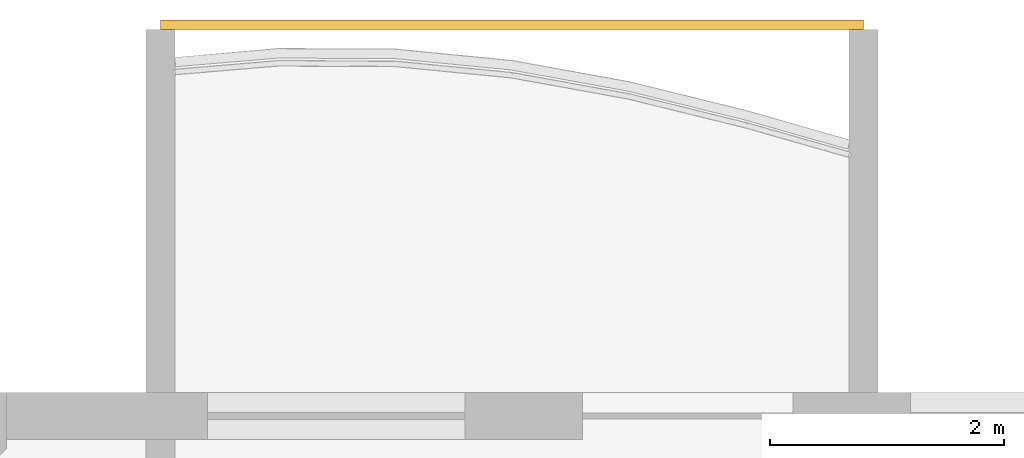
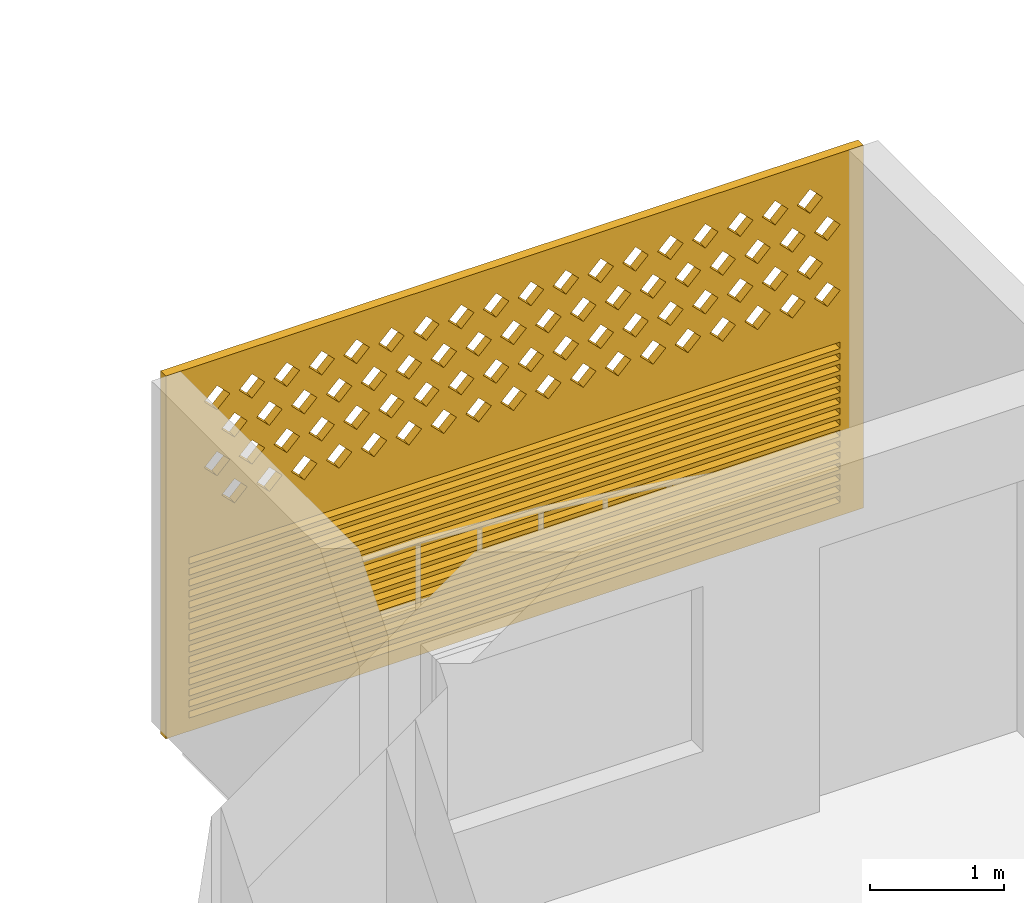
# One storey, part 16 of 26: 1 covering.
"""IFC4 building model written with IfcOpenShell, lengths in metres."""

from ifc_helpers import new_model, si_unit, direction, frame, origin, place, context, subcontext, project, spatial, polyline, outline, extrude, source, transform, mapped, material, material_profile, profile_set, type_object, element, save


model = new_model("IFC4")

# Units and contexts
model_context = context("Model", 3, precision=1e-05, world=origin(), true_north=direction((0.0, 1.0)))
body_context = subcontext(model_context, "Body", "Model", "MODEL_VIEW")
ifc_project = project(units=[si_unit("LENGTHUNIT", "METRE"), si_unit("AREAUNIT", "SQUARE_METRE"), si_unit("VOLUMEUNIT", "CUBIC_METRE"), si_unit("PLANEANGLEUNIT", "RADIAN"), si_unit("MASSUNIT", "GRAM", prefix="KILO")], contexts=[model_context])

# Site, building, storey
site_placement = place(None, origin())
site = spatial("IfcSite", under=ifc_project, at=site_placement, CompositionType="ELEMENT")
building_placement = place(site_placement, origin())
building = spatial("IfcBuilding", under=site, at=building_placement, Name="Poui Terraces", CompositionType="ELEMENT")
storey_placement = place(building_placement, frame((0.0, 0.0, 178.5)))
storey = spatial("IfcBuildingStorey", under=building, at=storey_placement, Name="L49", CompositionType="ELEMENT", Elevation=178.5)

# Covering
ifc_material = material(Name="Terracotta screen", Category="masonry")
ifc_material_profile = material_profile(ifc_material, outline(polyline([(-3.0, -1.64990234375), (3.0, -1.64990234375), (3.0, 1.64990234375), (-3.0, 1.64990234375), (-3.0, -1.64990234375)]), holes=[polyline([(-2.800048828125, 0.39990234375), (-2.68994140625, 0.2900390625), (-2.580078125, 0.39990234375), (-2.68994140625, 0.510009765625), (-2.800048828125, 0.39990234375)]), polyline([(-2.5, 0.39990234375), (-2.389892578125, 0.2900390625), (-2.280029296875, 0.39990234375), (-2.389892578125, 0.510009765625), (-2.5, 0.39990234375)]), polyline([(-2.199951171875, 0.39990234375), (-2.090087890625, 0.2900390625), (-1.97998046875, 0.39990234375), (-2.090087890625, 0.510009765625), (-2.199951171875, 0.39990234375)]), polyline([(-1.89990234375, 0.39990234375), (-1.7900390625, 0.2900390625), (-1.679931640625, 0.39990234375), (-1.7900390625, 0.510009765625), (-1.89990234375, 0.39990234375)]), polyline([(-1.60009765625, 0.39990234375), (-1.489990234375, 0.2900390625), (-1.3798828125, 0.39990234375), (-1.489990234375, 0.510009765625), (-1.60009765625, 0.39990234375)]), polyline([(-1.300048828125, 0.39990234375), (-1.18994140625, 0.2900390625), (-1.080078125, 0.39990234375), (-1.18994140625, 0.510009765625), (-1.300048828125, 0.39990234375)]), polyline([(-1.0, 0.39990234375), (-0.889892578125, 0.2900390625), (-0.780029296875, 0.39990234375), (-0.889892578125, 0.510009765625), (-1.0, 0.39990234375)]), polyline([(-0.699951171875, 0.39990234375), (-0.590087890625, 0.2900390625), (-0.47998046875, 0.39990234375), (-0.590087890625, 0.510009765625), (-0.699951171875, 0.39990234375)]), polyline([(-0.39990234375, 0.39990234375), (-0.2900390625, 0.2900390625), (-0.179931640625, 0.39990234375), (-0.2900390625, 0.510009765625), (-0.39990234375, 0.39990234375)]), polyline([(-0.10009765625, 0.39990234375), (0.010009765625, 0.2900390625), (0.1201171875, 0.39990234375), (0.010009765625, 0.510009765625), (-0.10009765625, 0.39990234375)]), polyline([(0.199951171875, 0.39990234375), (0.31005859375, 0.2900390625), (0.419921875, 0.39990234375), (0.31005859375, 0.510009765625), (0.199951171875, 0.39990234375)]), polyline([(0.5, 0.39990234375), (0.610107421875, 0.2900390625), (0.719970703125, 0.39990234375), (0.610107421875, 0.510009765625), (0.5, 0.39990234375)]), polyline([(0.800048828125, 0.39990234375), (0.909912109375, 0.2900390625), (1.02001953125, 0.39990234375), (0.909912109375, 0.510009765625), (0.800048828125, 0.39990234375)]), polyline([(1.10009765625, 0.39990234375), (1.2099609375, 0.2900390625), (1.320068359375, 0.39990234375), (1.2099609375, 0.510009765625), (1.10009765625, 0.39990234375)]), polyline([(1.39990234375, 0.39990234375), (1.510009765625, 0.2900390625), (1.6201171875, 0.39990234375), (1.510009765625, 0.510009765625), (1.39990234375, 0.39990234375)]), polyline([(1.699951171875, 0.39990234375), (1.81005859375, 0.2900390625), (1.919921875, 0.39990234375), (1.81005859375, 0.510009765625), (1.699951171875, 0.39990234375)]), polyline([(2.0, 0.39990234375), (2.110107421875, 0.2900390625), (2.219970703125, 0.39990234375), (2.110107421875, 0.510009765625), (2.0, 0.39990234375)]), polyline([(2.300048828125, 0.39990234375), (2.409912109375, 0.2900390625), (2.52001953125, 0.39990234375), (2.409912109375, 0.510009765625), (2.300048828125, 0.39990234375)]), polyline([(-2.64990234375, 0.699951171875), (-2.5400390625, 0.590087890625), (-2.429931640625, 0.699951171875), (-2.5400390625, 0.81005859375), (-2.64990234375, 0.699951171875)]), polyline([(-2.35009765625, 0.699951171875), (-2.239990234375, 0.590087890625), (-2.1298828125, 0.699951171875), (-2.239990234375, 0.81005859375), (-2.35009765625, 0.699951171875)]), polyline([(-2.050048828125, 0.699951171875), (-1.93994140625, 0.590087890625), (-1.830078125, 0.699951171875), (-1.93994140625, 0.81005859375), (-2.050048828125, 0.699951171875)]), polyline([(-1.75, 0.699951171875), (-1.639892578125, 0.590087890625), (-1.530029296875, 0.699951171875), (-1.639892578125, 0.81005859375), (-1.75, 0.699951171875)]), polyline([(-1.449951171875, 0.699951171875), (-1.340087890625, 0.590087890625), (-1.22998046875, 0.699951171875), (-1.340087890625, 0.81005859375), (-1.449951171875, 0.699951171875)]), polyline([(-1.14990234375, 0.699951171875), (-1.0400390625, 0.590087890625), (-0.929931640625, 0.699951171875), (-1.0400390625, 0.81005859375), (-1.14990234375, 0.699951171875)]), polyline([(-0.85009765625, 0.699951171875), (-0.739990234375, 0.590087890625), (-0.6298828125, 0.699951171875), (-0.739990234375, 0.81005859375), (-0.85009765625, 0.699951171875)]), polyline([(-0.550048828125, 0.699951171875), (-0.43994140625, 0.590087890625), (-0.330078125, 0.699951171875), (-0.43994140625, 0.81005859375), (-0.550048828125, 0.699951171875)]), polyline([(-0.25, 0.699951171875), (-0.139892578125, 0.590087890625), (-0.030029296875, 0.699951171875), (-0.139892578125, 0.81005859375), (-0.25, 0.699951171875)]), polyline([(0.050048828125, 0.699951171875), (0.159912109375, 0.590087890625), (0.27001953125, 0.699951171875), (0.159912109375, 0.81005859375), (0.050048828125, 0.699951171875)]), polyline([(0.35009765625, 0.699951171875), (0.4599609375, 0.590087890625), (0.570068359375, 0.699951171875), (0.4599609375, 0.81005859375), (0.35009765625, 0.699951171875)]), polyline([(0.64990234375, 0.699951171875), (0.760009765625, 0.590087890625), (0.8701171875, 0.699951171875), (0.760009765625, 0.81005859375), (0.64990234375, 0.699951171875)]), polyline([(0.949951171875, 0.699951171875), (1.06005859375, 0.590087890625), (1.169921875, 0.699951171875), (1.06005859375, 0.81005859375), (0.949951171875, 0.699951171875)]), polyline([(1.25, 0.699951171875), (1.360107421875, 0.590087890625), (1.469970703125, 0.699951171875), (1.360107421875, 0.81005859375), (1.25, 0.699951171875)]), polyline([(1.550048828125, 0.699951171875), (1.659912109375, 0.590087890625), (1.77001953125, 0.699951171875), (1.659912109375, 0.81005859375), (1.550048828125, 0.699951171875)]), polyline([(1.85009765625, 0.699951171875), (1.9599609375, 0.590087890625), (2.070068359375, 0.699951171875), (1.9599609375, 0.81005859375), (1.85009765625, 0.699951171875)]), polyline([(2.14990234375, 0.699951171875), (2.260009765625, 0.590087890625), (2.3701171875, 0.699951171875), (2.260009765625, 0.81005859375), (2.14990234375, 0.699951171875)]), polyline([(2.449951171875, 0.699951171875), (2.56005859375, 0.590087890625), (2.669921875, 0.699951171875), (2.56005859375, 0.81005859375), (2.449951171875, 0.699951171875)]), polyline([(-2.800048828125, 1.0), (-2.68994140625, 0.889892578125), (-2.580078125, 1.0), (-2.68994140625, 1.110107421875), (-2.800048828125, 1.0)]), polyline([(-2.5, 1.0), (-2.389892578125, 0.889892578125), (-2.280029296875, 1.0), (-2.389892578125, 1.110107421875), (-2.5, 1.0)]), polyline([(-2.199951171875, 1.0), (-2.090087890625, 0.889892578125), (-1.97998046875, 1.0), (-2.090087890625, 1.110107421875), (-2.199951171875, 1.0)]), polyline([(-1.89990234375, 1.0), (-1.7900390625, 0.889892578125), (-1.679931640625, 1.0), (-1.7900390625, 1.110107421875), (-1.89990234375, 1.0)]), polyline([(-1.60009765625, 1.0), (-1.489990234375, 0.889892578125), (-1.3798828125, 1.0), (-1.489990234375, 1.110107421875), (-1.60009765625, 1.0)]), polyline([(-1.300048828125, 1.0), (-1.18994140625, 0.889892578125), (-1.080078125, 1.0), (-1.18994140625, 1.110107421875), (-1.300048828125, 1.0)]), polyline([(-1.0, 1.0), (-0.889892578125, 0.889892578125), (-0.780029296875, 1.0), (-0.889892578125, 1.110107421875), (-1.0, 1.0)]), polyline([(-0.699951171875, 1.0), (-0.590087890625, 0.889892578125), (-0.47998046875, 1.0), (-0.590087890625, 1.110107421875), (-0.699951171875, 1.0)]), polyline([(-0.39990234375, 1.0), (-0.2900390625, 0.889892578125), (-0.179931640625, 1.0), (-0.2900390625, 1.110107421875), (-0.39990234375, 1.0)]), polyline([(-0.10009765625, 1.0), (0.010009765625, 0.889892578125), (0.1201171875, 1.0), (0.010009765625, 1.110107421875), (-0.10009765625, 1.0)]), polyline([(0.199951171875, 1.0), (0.31005859375, 0.889892578125), (0.419921875, 1.0), (0.31005859375, 1.110107421875), (0.199951171875, 1.0)]), polyline([(0.5, 1.0), (0.610107421875, 0.889892578125), (0.719970703125, 1.0), (0.610107421875, 1.110107421875), (0.5, 1.0)]), polyline([(0.800048828125, 1.0), (0.909912109375, 0.889892578125), (1.02001953125, 1.0), (0.909912109375, 1.110107421875), (0.800048828125, 1.0)]), polyline([(1.10009765625, 1.0), (1.2099609375, 0.889892578125), (1.320068359375, 1.0), (1.2099609375, 1.110107421875), (1.10009765625, 1.0)]), polyline([(1.39990234375, 1.0), (1.510009765625, 0.889892578125), (1.6201171875, 1.0), (1.510009765625, 1.110107421875), (1.39990234375, 1.0)]), polyline([(1.699951171875, 1.0), (1.81005859375, 0.889892578125), (1.919921875, 1.0), (1.81005859375, 1.110107421875), (1.699951171875, 1.0)]), polyline([(2.0, 1.0), (2.110107421875, 0.889892578125), (2.219970703125, 1.0), (2.110107421875, 1.110107421875), (2.0, 1.0)]), polyline([(2.300048828125, 1.0), (2.409912109375, 0.889892578125), (2.52001953125, 1.0), (2.409912109375, 1.110107421875), (2.300048828125, 1.0)]), polyline([(-2.64990234375, 1.300048828125), (-2.5400390625, 1.18994140625), (-2.429931640625, 1.300048828125), (-2.5400390625, 1.409912109375), (-2.64990234375, 1.300048828125)]), polyline([(-2.35009765625, 1.300048828125), (-2.239990234375, 1.18994140625), (-2.1298828125, 1.300048828125), (-2.239990234375, 1.409912109375), (-2.35009765625, 1.300048828125)]), polyline([(-2.050048828125, 1.300048828125), (-1.93994140625, 1.18994140625), (-1.830078125, 1.300048828125), (-1.93994140625, 1.409912109375), (-2.050048828125, 1.300048828125)]), polyline([(-1.75, 1.300048828125), (-1.639892578125, 1.18994140625), (-1.530029296875, 1.300048828125), (-1.639892578125, 1.409912109375), (-1.75, 1.300048828125)]), polyline([(-1.449951171875, 1.300048828125), (-1.340087890625, 1.18994140625), (-1.22998046875, 1.300048828125), (-1.340087890625, 1.409912109375), (-1.449951171875, 1.300048828125)]), polyline([(-1.14990234375, 1.300048828125), (-1.0400390625, 1.18994140625), (-0.929931640625, 1.300048828125), (-1.0400390625, 1.409912109375), (-1.14990234375, 1.300048828125)]), polyline([(-0.85009765625, 1.300048828125), (-0.739990234375, 1.18994140625), (-0.6298828125, 1.300048828125), (-0.739990234375, 1.409912109375), (-0.85009765625, 1.300048828125)]), polyline([(-0.550048828125, 1.300048828125), (-0.43994140625, 1.18994140625), (-0.330078125, 1.300048828125), (-0.43994140625, 1.409912109375), (-0.550048828125, 1.300048828125)]), polyline([(-0.25, 1.300048828125), (-0.139892578125, 1.18994140625), (-0.030029296875, 1.300048828125), (-0.139892578125, 1.409912109375), (-0.25, 1.300048828125)]), polyline([(0.050048828125, 1.300048828125), (0.159912109375, 1.18994140625), (0.27001953125, 1.300048828125), (0.159912109375, 1.409912109375), (0.050048828125, 1.300048828125)]), polyline([(0.35009765625, 1.300048828125), (0.4599609375, 1.18994140625), (0.570068359375, 1.300048828125), (0.4599609375, 1.409912109375), (0.35009765625, 1.300048828125)]), polyline([(0.64990234375, 1.300048828125), (0.760009765625, 1.18994140625), (0.8701171875, 1.300048828125), (0.760009765625, 1.409912109375), (0.64990234375, 1.300048828125)]), polyline([(0.949951171875, 1.300048828125), (1.06005859375, 1.18994140625), (1.169921875, 1.300048828125), (1.06005859375, 1.409912109375), (0.949951171875, 1.300048828125)]), polyline([(1.25, 1.300048828125), (1.360107421875, 1.18994140625), (1.469970703125, 1.300048828125), (1.360107421875, 1.409912109375), (1.25, 1.300048828125)]), polyline([(1.550048828125, 1.300048828125), (1.659912109375, 1.18994140625), (1.77001953125, 1.300048828125), (1.659912109375, 1.409912109375), (1.550048828125, 1.300048828125)]), polyline([(1.85009765625, 1.300048828125), (1.9599609375, 1.18994140625), (2.070068359375, 1.300048828125), (1.9599609375, 1.409912109375), (1.85009765625, 1.300048828125)]), polyline([(2.14990234375, 1.300048828125), (2.260009765625, 1.18994140625), (2.3701171875, 1.300048828125), (2.260009765625, 1.409912109375), (2.14990234375, 1.300048828125)]), polyline([(2.449951171875, 1.300048828125), (2.56005859375, 1.18994140625), (2.669921875, 1.300048828125), (2.56005859375, 1.409912109375), (2.449951171875, 1.300048828125)]), polyline([(-2.800048828125, -1.530029296875), (2.800048828125, -1.530029296875), (2.800048828125, -1.469970703125), (-2.800048828125, -1.469970703125), (-2.800048828125, -1.530029296875)]), polyline([(-2.800048828125, -1.429931640625), (2.800048828125, -1.429931640625), (2.800048828125, -1.3701171875), (-2.800048828125, -1.3701171875), (-2.800048828125, -1.429931640625)]), polyline([(-2.800048828125, -1.330078125), (2.800048828125, -1.330078125), (2.800048828125, -1.27001953125), (-2.800048828125, -1.27001953125), (-2.800048828125, -1.330078125)]), polyline([(-2.800048828125, -1.22998046875), (2.800048828125, -1.22998046875), (2.800048828125, -1.169921875), (-2.800048828125, -1.169921875), (-2.800048828125, -1.22998046875)]), polyline([(-2.800048828125, -1.1298828125), (2.800048828125, -1.1298828125), (2.800048828125, -1.070068359375), (-2.800048828125, -1.070068359375), (-2.800048828125, -1.1298828125)]), polyline([(-2.800048828125, -1.030029296875), (2.800048828125, -1.030029296875), (2.800048828125, -0.969970703125), (-2.800048828125, -0.969970703125), (-2.800048828125, -1.030029296875)]), polyline([(-2.800048828125, -0.929931640625), (2.800048828125, -0.929931640625), (2.800048828125, -0.8701171875), (-2.800048828125, -0.8701171875), (-2.800048828125, -0.929931640625)]), polyline([(-2.800048828125, -0.830078125), (2.800048828125, -0.830078125), (2.800048828125, -0.77001953125), (-2.800048828125, -0.77001953125), (-2.800048828125, -0.830078125)]), polyline([(-2.800048828125, -0.72998046875), (2.800048828125, -0.72998046875), (2.800048828125, -0.669921875), (-2.800048828125, -0.669921875), (-2.800048828125, -0.72998046875)]), polyline([(-2.800048828125, -0.6298828125), (2.800048828125, -0.6298828125), (2.800048828125, -0.570068359375), (-2.800048828125, -0.570068359375), (-2.800048828125, -0.6298828125)]), polyline([(-2.800048828125, -0.530029296875), (2.800048828125, -0.530029296875), (2.800048828125, -0.469970703125), (-2.800048828125, -0.469970703125), (-2.800048828125, -0.530029296875)]), polyline([(-2.800048828125, -0.429931640625), (2.800048828125, -0.429931640625), (2.800048828125, -0.3701171875), (-2.800048828125, -0.3701171875), (-2.800048828125, -0.429931640625)]), polyline([(-2.800048828125, -0.330078125), (2.800048828125, -0.330078125), (2.800048828125, -0.27001953125), (-2.800048828125, -0.27001953125), (-2.800048828125, -0.330078125)]), polyline([(-2.800048828125, -0.22998046875), (2.800048828125, -0.22998046875), (2.800048828125, -0.169921875), (-2.800048828125, -0.169921875), (-2.800048828125, -0.22998046875)]), polyline([(-2.800048828125, -0.1298828125), (2.800048828125, -0.1298828125), (2.800048828125, -0.070068359375), (-2.800048828125, -0.070068359375), (-2.800048828125, -0.1298828125)])]), Name="TERRACOTTA SCREEN AND JALOUSIE LOUVRE 6000X3300")
ifc_profile_set = profile_set([ifc_material_profile], Name="Terracotta screen")
covering_type = type_object("IfcCoveringType", Name="TERRACOTTA SCREEN AND JALOUSIE LOUVRE 6000X3300", PredefinedType="CLADDING", material=ifc_profile_set)
shared_shape = source(origin(), body_context, "Body", "SweptSolid", [
    extrude(outline(polyline([(-3.0, -1.64990234375), (3.0, -1.64990234375), (3.0, 1.64990234375), (-3.0, 1.64990234375), (-3.0, -1.64990234375)]), holes=[polyline([(-2.800048828125, 0.39990234375), (-2.68994140625, 0.2900390625), (-2.580078125, 0.39990234375), (-2.68994140625, 0.510009765625), (-2.800048828125, 0.39990234375)]), polyline([(-2.5, 0.39990234375), (-2.389892578125, 0.2900390625), (-2.280029296875, 0.39990234375), (-2.389892578125, 0.510009765625), (-2.5, 0.39990234375)]), polyline([(-2.199951171875, 0.39990234375), (-2.090087890625, 0.2900390625), (-1.97998046875, 0.39990234375), (-2.090087890625, 0.510009765625), (-2.199951171875, 0.39990234375)]), polyline([(-1.89990234375, 0.39990234375), (-1.7900390625, 0.2900390625), (-1.679931640625, 0.39990234375), (-1.7900390625, 0.510009765625), (-1.89990234375, 0.39990234375)]), polyline([(-1.60009765625, 0.39990234375), (-1.489990234375, 0.2900390625), (-1.3798828125, 0.39990234375), (-1.489990234375, 0.510009765625), (-1.60009765625, 0.39990234375)]), polyline([(-1.300048828125, 0.39990234375), (-1.18994140625, 0.2900390625), (-1.080078125, 0.39990234375), (-1.18994140625, 0.510009765625), (-1.300048828125, 0.39990234375)]), polyline([(-1.0, 0.39990234375), (-0.889892578125, 0.2900390625), (-0.780029296875, 0.39990234375), (-0.889892578125, 0.510009765625), (-1.0, 0.39990234375)]), polyline([(-0.699951171875, 0.39990234375), (-0.590087890625, 0.2900390625), (-0.47998046875, 0.39990234375), (-0.590087890625, 0.510009765625), (-0.699951171875, 0.39990234375)]), polyline([(-0.39990234375, 0.39990234375), (-0.2900390625, 0.2900390625), (-0.179931640625, 0.39990234375), (-0.2900390625, 0.510009765625), (-0.39990234375, 0.39990234375)]), polyline([(-0.10009765625, 0.39990234375), (0.010009765625, 0.2900390625), (0.1201171875, 0.39990234375), (0.010009765625, 0.510009765625), (-0.10009765625, 0.39990234375)]), polyline([(0.199951171875, 0.39990234375), (0.31005859375, 0.2900390625), (0.419921875, 0.39990234375), (0.31005859375, 0.510009765625), (0.199951171875, 0.39990234375)]), polyline([(0.5, 0.39990234375), (0.610107421875, 0.2900390625), (0.719970703125, 0.39990234375), (0.610107421875, 0.510009765625), (0.5, 0.39990234375)]), polyline([(0.800048828125, 0.39990234375), (0.909912109375, 0.2900390625), (1.02001953125, 0.39990234375), (0.909912109375, 0.510009765625), (0.800048828125, 0.39990234375)]), polyline([(1.10009765625, 0.39990234375), (1.2099609375, 0.2900390625), (1.320068359375, 0.39990234375), (1.2099609375, 0.510009765625), (1.10009765625, 0.39990234375)]), polyline([(1.39990234375, 0.39990234375), (1.510009765625, 0.2900390625), (1.6201171875, 0.39990234375), (1.510009765625, 0.510009765625), (1.39990234375, 0.39990234375)]), polyline([(1.699951171875, 0.39990234375), (1.81005859375, 0.2900390625), (1.919921875, 0.39990234375), (1.81005859375, 0.510009765625), (1.699951171875, 0.39990234375)]), polyline([(2.0, 0.39990234375), (2.110107421875, 0.2900390625), (2.219970703125, 0.39990234375), (2.110107421875, 0.510009765625), (2.0, 0.39990234375)]), polyline([(2.300048828125, 0.39990234375), (2.409912109375, 0.2900390625), (2.52001953125, 0.39990234375), (2.409912109375, 0.510009765625), (2.300048828125, 0.39990234375)]), polyline([(-2.64990234375, 0.699951171875), (-2.5400390625, 0.590087890625), (-2.429931640625, 0.699951171875), (-2.5400390625, 0.81005859375), (-2.64990234375, 0.699951171875)]), polyline([(-2.35009765625, 0.699951171875), (-2.239990234375, 0.590087890625), (-2.1298828125, 0.699951171875), (-2.239990234375, 0.81005859375), (-2.35009765625, 0.699951171875)]), polyline([(-2.050048828125, 0.699951171875), (-1.93994140625, 0.590087890625), (-1.830078125, 0.699951171875), (-1.93994140625, 0.81005859375), (-2.050048828125, 0.699951171875)]), polyline([(-1.75, 0.699951171875), (-1.639892578125, 0.590087890625), (-1.530029296875, 0.699951171875), (-1.639892578125, 0.81005859375), (-1.75, 0.699951171875)]), polyline([(-1.449951171875, 0.699951171875), (-1.340087890625, 0.590087890625), (-1.22998046875, 0.699951171875), (-1.340087890625, 0.81005859375), (-1.449951171875, 0.699951171875)]), polyline([(-1.14990234375, 0.699951171875), (-1.0400390625, 0.590087890625), (-0.929931640625, 0.699951171875), (-1.0400390625, 0.81005859375), (-1.14990234375, 0.699951171875)]), polyline([(-0.85009765625, 0.699951171875), (-0.739990234375, 0.590087890625), (-0.6298828125, 0.699951171875), (-0.739990234375, 0.81005859375), (-0.85009765625, 0.699951171875)]), polyline([(-0.550048828125, 0.699951171875), (-0.43994140625, 0.590087890625), (-0.330078125, 0.699951171875), (-0.43994140625, 0.81005859375), (-0.550048828125, 0.699951171875)]), polyline([(-0.25, 0.699951171875), (-0.139892578125, 0.590087890625), (-0.030029296875, 0.699951171875), (-0.139892578125, 0.81005859375), (-0.25, 0.699951171875)]), polyline([(0.050048828125, 0.699951171875), (0.159912109375, 0.590087890625), (0.27001953125, 0.699951171875), (0.159912109375, 0.81005859375), (0.050048828125, 0.699951171875)]), polyline([(0.35009765625, 0.699951171875), (0.4599609375, 0.590087890625), (0.570068359375, 0.699951171875), (0.4599609375, 0.81005859375), (0.35009765625, 0.699951171875)]), polyline([(0.64990234375, 0.699951171875), (0.760009765625, 0.590087890625), (0.8701171875, 0.699951171875), (0.760009765625, 0.81005859375), (0.64990234375, 0.699951171875)]), polyline([(0.949951171875, 0.699951171875), (1.06005859375, 0.590087890625), (1.169921875, 0.699951171875), (1.06005859375, 0.81005859375), (0.949951171875, 0.699951171875)]), polyline([(1.25, 0.699951171875), (1.360107421875, 0.590087890625), (1.469970703125, 0.699951171875), (1.360107421875, 0.81005859375), (1.25, 0.699951171875)]), polyline([(1.550048828125, 0.699951171875), (1.659912109375, 0.590087890625), (1.77001953125, 0.699951171875), (1.659912109375, 0.81005859375), (1.550048828125, 0.699951171875)]), polyline([(1.85009765625, 0.699951171875), (1.9599609375, 0.590087890625), (2.070068359375, 0.699951171875), (1.9599609375, 0.81005859375), (1.85009765625, 0.699951171875)]), polyline([(2.14990234375, 0.699951171875), (2.260009765625, 0.590087890625), (2.3701171875, 0.699951171875), (2.260009765625, 0.81005859375), (2.14990234375, 0.699951171875)]), polyline([(2.449951171875, 0.699951171875), (2.56005859375, 0.590087890625), (2.669921875, 0.699951171875), (2.56005859375, 0.81005859375), (2.449951171875, 0.699951171875)]), polyline([(-2.800048828125, 1.0), (-2.68994140625, 0.889892578125), (-2.580078125, 1.0), (-2.68994140625, 1.110107421875), (-2.800048828125, 1.0)]), polyline([(-2.5, 1.0), (-2.389892578125, 0.889892578125), (-2.280029296875, 1.0), (-2.389892578125, 1.110107421875), (-2.5, 1.0)]), polyline([(-2.199951171875, 1.0), (-2.090087890625, 0.889892578125), (-1.97998046875, 1.0), (-2.090087890625, 1.110107421875), (-2.199951171875, 1.0)]), polyline([(-1.89990234375, 1.0), (-1.7900390625, 0.889892578125), (-1.679931640625, 1.0), (-1.7900390625, 1.110107421875), (-1.89990234375, 1.0)]), polyline([(-1.60009765625, 1.0), (-1.489990234375, 0.889892578125), (-1.3798828125, 1.0), (-1.489990234375, 1.110107421875), (-1.60009765625, 1.0)]), polyline([(-1.300048828125, 1.0), (-1.18994140625, 0.889892578125), (-1.080078125, 1.0), (-1.18994140625, 1.110107421875), (-1.300048828125, 1.0)]), polyline([(-1.0, 1.0), (-0.889892578125, 0.889892578125), (-0.780029296875, 1.0), (-0.889892578125, 1.110107421875), (-1.0, 1.0)]), polyline([(-0.699951171875, 1.0), (-0.590087890625, 0.889892578125), (-0.47998046875, 1.0), (-0.590087890625, 1.110107421875), (-0.699951171875, 1.0)]), polyline([(-0.39990234375, 1.0), (-0.2900390625, 0.889892578125), (-0.179931640625, 1.0), (-0.2900390625, 1.110107421875), (-0.39990234375, 1.0)]), polyline([(-0.10009765625, 1.0), (0.010009765625, 0.889892578125), (0.1201171875, 1.0), (0.010009765625, 1.110107421875), (-0.10009765625, 1.0)]), polyline([(0.199951171875, 1.0), (0.31005859375, 0.889892578125), (0.419921875, 1.0), (0.31005859375, 1.110107421875), (0.199951171875, 1.0)]), polyline([(0.5, 1.0), (0.610107421875, 0.889892578125), (0.719970703125, 1.0), (0.610107421875, 1.110107421875), (0.5, 1.0)]), polyline([(0.800048828125, 1.0), (0.909912109375, 0.889892578125), (1.02001953125, 1.0), (0.909912109375, 1.110107421875), (0.800048828125, 1.0)]), polyline([(1.10009765625, 1.0), (1.2099609375, 0.889892578125), (1.320068359375, 1.0), (1.2099609375, 1.110107421875), (1.10009765625, 1.0)]), polyline([(1.39990234375, 1.0), (1.510009765625, 0.889892578125), (1.6201171875, 1.0), (1.510009765625, 1.110107421875), (1.39990234375, 1.0)]), polyline([(1.699951171875, 1.0), (1.81005859375, 0.889892578125), (1.919921875, 1.0), (1.81005859375, 1.110107421875), (1.699951171875, 1.0)]), polyline([(2.0, 1.0), (2.110107421875, 0.889892578125), (2.219970703125, 1.0), (2.110107421875, 1.110107421875), (2.0, 1.0)]), polyline([(2.300048828125, 1.0), (2.409912109375, 0.889892578125), (2.52001953125, 1.0), (2.409912109375, 1.110107421875), (2.300048828125, 1.0)]), polyline([(-2.64990234375, 1.300048828125), (-2.5400390625, 1.18994140625), (-2.429931640625, 1.300048828125), (-2.5400390625, 1.409912109375), (-2.64990234375, 1.300048828125)]), polyline([(-2.35009765625, 1.300048828125), (-2.239990234375, 1.18994140625), (-2.1298828125, 1.300048828125), (-2.239990234375, 1.409912109375), (-2.35009765625, 1.300048828125)]), polyline([(-2.050048828125, 1.300048828125), (-1.93994140625, 1.18994140625), (-1.830078125, 1.300048828125), (-1.93994140625, 1.409912109375), (-2.050048828125, 1.300048828125)]), polyline([(-1.75, 1.300048828125), (-1.639892578125, 1.18994140625), (-1.530029296875, 1.300048828125), (-1.639892578125, 1.409912109375), (-1.75, 1.300048828125)]), polyline([(-1.449951171875, 1.300048828125), (-1.340087890625, 1.18994140625), (-1.22998046875, 1.300048828125), (-1.340087890625, 1.409912109375), (-1.449951171875, 1.300048828125)]), polyline([(-1.14990234375, 1.300048828125), (-1.0400390625, 1.18994140625), (-0.929931640625, 1.300048828125), (-1.0400390625, 1.409912109375), (-1.14990234375, 1.300048828125)]), polyline([(-0.85009765625, 1.300048828125), (-0.739990234375, 1.18994140625), (-0.6298828125, 1.300048828125), (-0.739990234375, 1.409912109375), (-0.85009765625, 1.300048828125)]), polyline([(-0.550048828125, 1.300048828125), (-0.43994140625, 1.18994140625), (-0.330078125, 1.300048828125), (-0.43994140625, 1.409912109375), (-0.550048828125, 1.300048828125)]), polyline([(-0.25, 1.300048828125), (-0.139892578125, 1.18994140625), (-0.030029296875, 1.300048828125), (-0.139892578125, 1.409912109375), (-0.25, 1.300048828125)]), polyline([(0.050048828125, 1.300048828125), (0.159912109375, 1.18994140625), (0.27001953125, 1.300048828125), (0.159912109375, 1.409912109375), (0.050048828125, 1.300048828125)]), polyline([(0.35009765625, 1.300048828125), (0.4599609375, 1.18994140625), (0.570068359375, 1.300048828125), (0.4599609375, 1.409912109375), (0.35009765625, 1.300048828125)]), polyline([(0.64990234375, 1.300048828125), (0.760009765625, 1.18994140625), (0.8701171875, 1.300048828125), (0.760009765625, 1.409912109375), (0.64990234375, 1.300048828125)]), polyline([(0.949951171875, 1.300048828125), (1.06005859375, 1.18994140625), (1.169921875, 1.300048828125), (1.06005859375, 1.409912109375), (0.949951171875, 1.300048828125)]), polyline([(1.25, 1.300048828125), (1.360107421875, 1.18994140625), (1.469970703125, 1.300048828125), (1.360107421875, 1.409912109375), (1.25, 1.300048828125)]), polyline([(1.550048828125, 1.300048828125), (1.659912109375, 1.18994140625), (1.77001953125, 1.300048828125), (1.659912109375, 1.409912109375), (1.550048828125, 1.300048828125)]), polyline([(1.85009765625, 1.300048828125), (1.9599609375, 1.18994140625), (2.070068359375, 1.300048828125), (1.9599609375, 1.409912109375), (1.85009765625, 1.300048828125)]), polyline([(2.14990234375, 1.300048828125), (2.260009765625, 1.18994140625), (2.3701171875, 1.300048828125), (2.260009765625, 1.409912109375), (2.14990234375, 1.300048828125)]), polyline([(2.449951171875, 1.300048828125), (2.56005859375, 1.18994140625), (2.669921875, 1.300048828125), (2.56005859375, 1.409912109375), (2.449951171875, 1.300048828125)]), polyline([(-2.800048828125, -1.530029296875), (2.800048828125, -1.530029296875), (2.800048828125, -1.469970703125), (-2.800048828125, -1.469970703125), (-2.800048828125, -1.530029296875)]), polyline([(-2.800048828125, -1.429931640625), (2.800048828125, -1.429931640625), (2.800048828125, -1.3701171875), (-2.800048828125, -1.3701171875), (-2.800048828125, -1.429931640625)]), polyline([(-2.800048828125, -1.330078125), (2.800048828125, -1.330078125), (2.800048828125, -1.27001953125), (-2.800048828125, -1.27001953125), (-2.800048828125, -1.330078125)]), polyline([(-2.800048828125, -1.22998046875), (2.800048828125, -1.22998046875), (2.800048828125, -1.169921875), (-2.800048828125, -1.169921875), (-2.800048828125, -1.22998046875)]), polyline([(-2.800048828125, -1.1298828125), (2.800048828125, -1.1298828125), (2.800048828125, -1.070068359375), (-2.800048828125, -1.070068359375), (-2.800048828125, -1.1298828125)]), polyline([(-2.800048828125, -1.030029296875), (2.800048828125, -1.030029296875), (2.800048828125, -0.969970703125), (-2.800048828125, -0.969970703125), (-2.800048828125, -1.030029296875)]), polyline([(-2.800048828125, -0.929931640625), (2.800048828125, -0.929931640625), (2.800048828125, -0.8701171875), (-2.800048828125, -0.8701171875), (-2.800048828125, -0.929931640625)]), polyline([(-2.800048828125, -0.830078125), (2.800048828125, -0.830078125), (2.800048828125, -0.77001953125), (-2.800048828125, -0.77001953125), (-2.800048828125, -0.830078125)]), polyline([(-2.800048828125, -0.72998046875), (2.800048828125, -0.72998046875), (2.800048828125, -0.669921875), (-2.800048828125, -0.669921875), (-2.800048828125, -0.72998046875)]), polyline([(-2.800048828125, -0.6298828125), (2.800048828125, -0.6298828125), (2.800048828125, -0.570068359375), (-2.800048828125, -0.570068359375), (-2.800048828125, -0.6298828125)]), polyline([(-2.800048828125, -0.530029296875), (2.800048828125, -0.530029296875), (2.800048828125, -0.469970703125), (-2.800048828125, -0.469970703125), (-2.800048828125, -0.530029296875)]), polyline([(-2.800048828125, -0.429931640625), (2.800048828125, -0.429931640625), (2.800048828125, -0.3701171875), (-2.800048828125, -0.3701171875), (-2.800048828125, -0.429931640625)]), polyline([(-2.800048828125, -0.330078125), (2.800048828125, -0.330078125), (2.800048828125, -0.27001953125), (-2.800048828125, -0.27001953125), (-2.800048828125, -0.330078125)]), polyline([(-2.800048828125, -0.22998046875), (2.800048828125, -0.22998046875), (2.800048828125, -0.169921875), (-2.800048828125, -0.169921875), (-2.800048828125, -0.22998046875)]), polyline([(-2.800048828125, -0.1298828125), (2.800048828125, -0.1298828125), (2.800048828125, -0.070068359375), (-2.800048828125, -0.070068359375), (-2.800048828125, -0.1298828125)])]), origin(), (0.0, 0.0, 1.0), 0.080078125),
])
covering_placement = place(storey_placement, frame((27.0, 44.5, 1.449951171875), z_axis=(0.0, 1.0, 0.0), x_axis=(-1.0, 0.0, 0.0)))
element("IfcCovering", 1, at=covering_placement, inside=storey, type_object=covering_type, Name="SOLAR SCREEN AND JALOUSIE LOUVRE", PredefinedType="CLADDING", context=body_context, shape_type="MappedRepresentation", body=[
    mapped(shared_shape, transform((0.0, 0.0, 0.0))),
])

save(model, "model.ifc")
